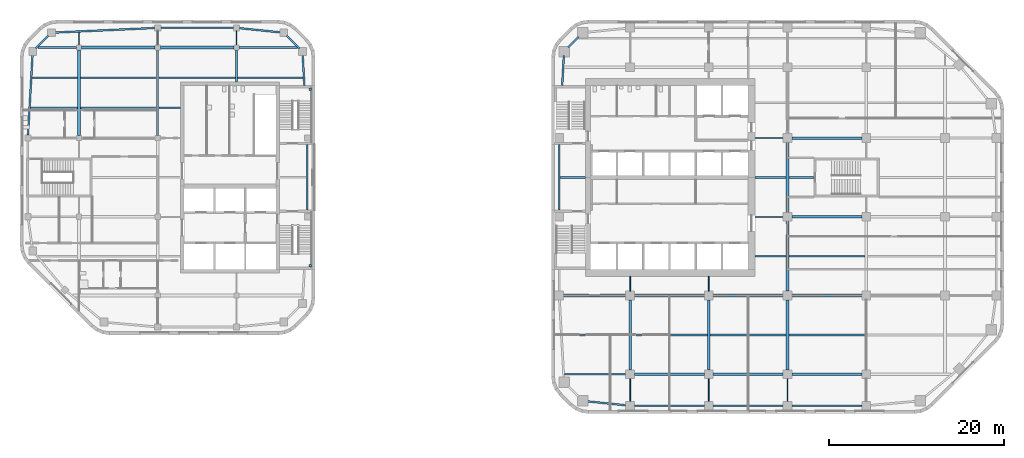
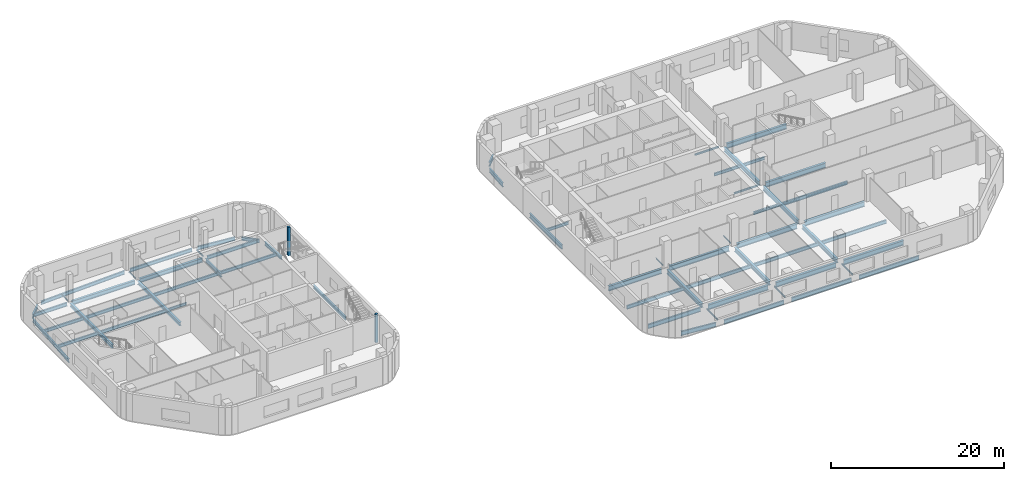
# One storey, part 2 of 14: 63 beams, 2 members.
"""IFC4 building model written with IfcOpenShell, lengths in metres."""

from ifc_helpers import new_model, si_unit, direction, frame, origin, origin_2d, place, context, subcontext, project, spatial, rectangle, i_section, extrude, material, material_profile, profile_set, type_object, element, save


model = new_model("IFC4")

# Units and contexts
model_context = context("Model", 3, precision=1e-05, world=origin(), true_north=direction((0.0, 1.0)))
body_context = subcontext(model_context, "Body", "Model", "MODEL_VIEW")
ifc_project = project(units=[si_unit("LENGTHUNIT", "METRE"), si_unit("AREAUNIT", "SQUARE_METRE"), si_unit("VOLUMEUNIT", "CUBIC_METRE"), si_unit("PLANEANGLEUNIT", "RADIAN"), si_unit("MASSUNIT", "GRAM", prefix="KILO")], contexts=[model_context])

# Site, building, storey
site_placement = place(None, origin())
site = spatial("IfcSite", under=ifc_project, at=site_placement, CompositionType="ELEMENT")
building_placement = place(site_placement, origin())
building = spatial("IfcBuilding", under=site, at=building_placement, Name="Cinnabar Reach Civic Tower", CompositionType="ELEMENT")
storey_placement = place(building_placement, frame((0.0, 0.0, 128.0)))
storey = spatial("IfcBuildingStorey", under=building, at=storey_placement, Name="L30", CompositionType="ELEMENT", Elevation=128.0)

# Beams
ifc_material_1 = material(Name="Steel Q355B", Category="steel")
ifc_material_profile_1 = material_profile(ifc_material_1, i_section(OverallWidth=0.3, OverallDepth=0.488, WebThickness=0.011, FlangeThickness=0.018, FilletRadius=0.016, at=origin_2d()), Name="HM488x300x11x18")
ifc_profile_set_1 = profile_set([ifc_material_profile_1], Name="Steel Q355B")
beam_type_1 = type_object("IfcBeamType", Name="HM488x300x11x18 beam R 120", PredefinedType="BEAM", material=ifc_profile_set_1)
for number, where, z_axis, x_axis, name in (
    (1, (-54.0, 36.302, -0.394), (0.0, 1.0, 0.0), (-1.0, 0.0, 0.0), "Girder T2 L30 4"),
    (2, (-45.0, 36.302, -0.394), (0.0, 1.0, 0.0), (-1.0, 0.0, 0.0), "Girder T2 L30 9"),
):
    element("IfcBeam", number, at=place(storey_placement, frame(where, z_axis=z_axis, x_axis=x_axis)), inside=storey, type_object=beam_type_1, Name=name, PredefinedType="BEAM", context=body_context, shape_type="SweptSolid", body=[
        extrude(i_section(OverallWidth=0.3, OverallDepth=0.488, WebThickness=0.011, FlangeThickness=0.018, FilletRadius=0.016, at=origin_2d()), origin(), (0.0, 0.0, 1.0), 9.746),
    ])
ifc_material_profile_2 = material_profile(ifc_material_1, i_section(OverallWidth=0.3, OverallDepth=0.588, WebThickness=0.012, FlangeThickness=0.02, FilletRadius=0.016, at=origin_2d()), Name="HM588x300x12x20")
ifc_profile_set_2 = profile_set([ifc_material_profile_2], Name="Steel Q355B")
beam_type_2 = type_object("IfcBeamType", Name="HM588x300x12x20 beam R 120", PredefinedType="BEAM", material=ifc_profile_set_2)
for number, where, z_axis, x_axis, name in (
    (3, (-53.698, 46.35, -0.444), (1.0, 0.0, 0.0), (0.0, 1.0, 0.0), "Girder T2 L30 11"),
    (4, (-44.698, 46.35, -0.444), (1.0, 0.0, 0.0), (0.0, 1.0, 0.0), "Girder T2 L30 12"),
):
    element("IfcBeam", number, at=place(storey_placement, frame(where, z_axis=z_axis, x_axis=x_axis)), inside=storey, type_object=beam_type_2, Name=name, PredefinedType="BEAM", context=body_context, shape_type="SweptSolid", body=[
        extrude(i_section(OverallWidth=0.3, OverallDepth=0.588, WebThickness=0.012, FlangeThickness=0.02, FilletRadius=0.016, at=origin_2d()), origin(), (0.0, 0.0, 1.0), 8.396),
    ])
ifc_material_profile_3 = material_profile(ifc_material_1, i_section(OverallWidth=0.302, OverallDepth=0.594, WebThickness=0.014, FlangeThickness=0.023, FilletRadius=0.016, at=origin_2d()), Name="HM594x302x14x23")
ifc_profile_set_3 = profile_set([ifc_material_profile_3], Name="Steel Q355B")
beam_type_3 = type_object("IfcBeamType", Name="HM594x302x14x23 beam R 180", PredefinedType="BEAM", material=ifc_profile_set_3)
for number, where, z_axis, x_axis, name in (
    (5, (9.0, 9.502, -0.447), (0.0, 1.0, 0.0), (-1.0, 0.0, 0.0), "Girder T1 L30 2"),
    (6, (18.0, 9.502, -0.447), (0.0, 1.0, 0.0), (-1.0, 0.0, 0.0), "Girder T1 L30 6"),
    (7, (27.0, 9.502, -0.447), (0.0, 1.0, 0.0), (-1.0, 0.0, 0.0), "Girder T1 L30 10"),
    (8, (27.0, 18.502, -0.447), (0.0, 1.0, 0.0), (-1.0, 0.0, 0.0), "Girder T1 L30 11"),
    (9, (27.0, 27.502, -0.447), (0.0, 1.0, 0.0), (-1.0, 0.0, 0.0), "Girder T1 L30 12"),
):
    element("IfcBeam", number, at=place(storey_placement, frame(where, z_axis=z_axis, x_axis=x_axis)), inside=storey, type_object=beam_type_3, Name=name, PredefinedType="BEAM", context=body_context, shape_type="SweptSolid", body=[
        extrude(i_section(OverallWidth=0.302, OverallDepth=0.594, WebThickness=0.014, FlangeThickness=0.023, FilletRadius=0.016, at=origin_2d()), origin(), (0.0, 0.0, 1.0), 7.996),
    ])
ifc_material_profile_4 = material_profile(ifc_material_1, i_section(OverallWidth=0.099, OverallDepth=0.198, WebThickness=0.0045, FlangeThickness=0.007, FilletRadius=0.013, at=origin_2d()), Name="HN200x100x5.5x8")
ifc_profile_set_4 = profile_set([ifc_material_profile_4], Name="Steel Q355B")
beam_type_4 = type_object("IfcBeamType", Name="HN200x100x5.5x8 beam R 120", PredefinedType="BEAM", material=ifc_profile_set_4)
beam_1_placement = place(storey_placement, frame((-54.0, 46.652, -0.249), z_axis=(0.0, 1.0, 0.0), x_axis=(-1.0, 0.0, 0.0)))
element("IfcBeam", 10, at=beam_1_placement, inside=storey, type_object=beam_type_4, Name="Girder T2 L30 5", PredefinedType="BEAM", context=body_context, shape_type="SweptSolid", body=[
    extrude(i_section(OverallWidth=0.099, OverallDepth=0.198, WebThickness=0.0045, FlangeThickness=0.007, FilletRadius=0.013, at=origin_2d()), origin(), (0.0, 0.0, 1.0), 1.4361),
])
for number, where, z_axis, x_axis, name in (
    (11, (-45.0, 46.652, -0.249), (0.0, 1.0, 0.0), (-1.0, 0.0, 0.0), "Girder T2 L30 10"),
    (12, (-36.0, 46.652, -0.249), (0.0, 1.0, 0.0), (-1.0, 0.0, 0.0), "Girder T2 L30 14"),
):
    element("IfcBeam", number, at=place(storey_placement, frame(where, z_axis=z_axis, x_axis=x_axis)), inside=storey, type_object=beam_type_4, Name=name, PredefinedType="BEAM", context=body_context, shape_type="SweptSolid", body=[
        extrude(i_section(OverallWidth=0.099, OverallDepth=0.198, WebThickness=0.0045, FlangeThickness=0.007, FilletRadius=0.013, at=origin_2d()), origin(), (0.0, 0.0, 1.0), 1.596),
    ])
ifc_material_profile_5 = material_profile(ifc_material_1, i_section(OverallWidth=0.099, OverallDepth=0.198, WebThickness=0.0045, FlangeThickness=0.007, FilletRadius=0.013, at=origin_2d()), Name="HN200x100x5.5x8")
ifc_profile_set_5 = profile_set([ifc_material_profile_5], Name="Steel Q355B")
beam_type_5 = type_object("IfcBeamType", Name="HN200x100x5.5x8 beam R 180", PredefinedType="BEAM", material=ifc_profile_set_5)
beam_2_placement = place(storey_placement, frame((9.0, 5.902, -0.249), z_axis=(0.0, 1.0, 0.0), x_axis=(-1.0, 0.0, 0.0)))
element("IfcBeam", 13, at=beam_2_placement, inside=storey, type_object=beam_type_5, Name="Girder T1 L30 1", PredefinedType="BEAM", context=body_context, shape_type="SweptSolid", body=[
    extrude(i_section(OverallWidth=0.099, OverallDepth=0.198, WebThickness=0.0045, FlangeThickness=0.007, FilletRadius=0.013, at=origin_2d()), origin(), (0.0, 0.0, 1.0), 2.596),
])
beam_3_placement = place(storey_placement, frame((9.0, 18.502, -0.249), z_axis=(0.0, 1.0, 0.0), x_axis=(-1.0, 0.0, 0.0)))
element("IfcBeam", 14, at=beam_3_placement, inside=storey, type_object=beam_type_5, Name="Girder T1 L30 3", PredefinedType="BEAM", context=body_context, shape_type="SweptSolid", body=[
    extrude(i_section(OverallWidth=0.099, OverallDepth=0.198, WebThickness=0.0045, FlangeThickness=0.007, FilletRadius=0.013, at=origin_2d()), origin(), (0.0, 0.0, 1.0), 1.696),
])
beam_4_placement = place(storey_placement, frame((18.0, 5.902, -0.249), z_axis=(0.0, 1.0, 0.0), x_axis=(-1.0, 0.0, 0.0)))
element("IfcBeam", 15, at=beam_4_placement, inside=storey, type_object=beam_type_5, Name="Girder T1 L30 5", PredefinedType="BEAM", context=body_context, shape_type="SweptSolid", body=[
    extrude(i_section(OverallWidth=0.099, OverallDepth=0.198, WebThickness=0.0045, FlangeThickness=0.007, FilletRadius=0.013, at=origin_2d()), origin(), (0.0, 0.0, 1.0), 2.596),
])
beam_5_placement = place(storey_placement, frame((18.0, 18.502, -0.249), z_axis=(0.0, 1.0, 0.0), x_axis=(-1.0, 0.0, 0.0)))
element("IfcBeam", 16, at=beam_5_placement, inside=storey, type_object=beam_type_5, Name="Girder T1 L30 7", PredefinedType="BEAM", context=body_context, shape_type="SweptSolid", body=[
    extrude(i_section(OverallWidth=0.099, OverallDepth=0.198, WebThickness=0.0045, FlangeThickness=0.007, FilletRadius=0.013, at=origin_2d()), origin(), (0.0, 0.0, 1.0), 1.696),
])
beam_6_placement = place(storey_placement, frame((27.0, 5.902, -0.249), z_axis=(0.0, 1.0, 0.0), x_axis=(-1.0, 0.0, 0.0)))
element("IfcBeam", 17, at=beam_6_placement, inside=storey, type_object=beam_type_5, Name="Girder T1 L30 9", PredefinedType="BEAM", context=body_context, shape_type="SweptSolid", body=[
    extrude(i_section(OverallWidth=0.099, OverallDepth=0.198, WebThickness=0.0045, FlangeThickness=0.007, FilletRadius=0.013, at=origin_2d()), origin(), (0.0, 0.0, 1.0), 2.596),
])
ifc_material_profile_6 = material_profile(ifc_material_1, i_section(OverallWidth=0.124, OverallDepth=0.248, WebThickness=0.005, FlangeThickness=0.008, FilletRadius=0.013, at=origin_2d()), Name="HN250x125x6x9")
ifc_profile_set_6 = profile_set([ifc_material_profile_6], Name="Steel Q355B")
beam_type_6 = type_object("IfcBeamType", Name="HN250x125x6x9 beam R 180", PredefinedType="BEAM", material=ifc_profile_set_6)
for number, where, z_axis, x_axis, name in (
    (18, (23.302, 27.0, -0.274), (1.0, 0.0, 0.0), (0.0, 1.0, 0.0), "Girder T1 L30 12"),
    (19, (23.302, 36.0, -0.274), (1.0, 0.0, 0.0), (0.0, 1.0, 0.0), "Girder T1 L30 16"),
):
    element("IfcBeam", number, at=place(storey_placement, frame(where, z_axis=z_axis, x_axis=x_axis)), inside=storey, type_object=beam_type_6, Name=name, PredefinedType="BEAM", context=body_context, shape_type="SweptSolid", body=[
        extrude(i_section(OverallWidth=0.124, OverallDepth=0.248, WebThickness=0.005, FlangeThickness=0.008, FilletRadius=0.013, at=origin_2d()), origin(), (0.0, 0.0, 1.0), 3.196),
    ])
ifc_material_profile_7 = material_profile(ifc_material_1, i_section(OverallWidth=0.175, OverallDepth=0.35, WebThickness=0.007, FlangeThickness=0.011, FilletRadius=0.013, at=origin_2d()), Name="HN350x175x7x11")
ifc_profile_set_7 = profile_set([ifc_material_profile_7], Name="Steel Q355B")
beam_type_7 = type_object("IfcBeamType", Name="HN350x175x7x11 beam R 120", PredefinedType="BEAM", material=ifc_profile_set_7)
beam_7_placement = place(storey_placement, frame((-44.848, 39.45, -0.325), z_axis=(1.0, 0.0, 0.0), x_axis=(0.0, 1.0, 0.0)))
element("IfcBeam", 20, at=beam_7_placement, inside=storey, type_object=beam_type_7, Name="Secondary beam T2 L30 9", PredefinedType="BEAM", context=body_context, shape_type="SweptSolid", body=[
    extrude(i_section(OverallWidth=0.175, OverallDepth=0.35, WebThickness=0.007, FlangeThickness=0.011, FilletRadius=0.013, at=origin_2d()), origin(), (0.0, 0.0, 1.0), 2.446),
])
ifc_material_profile_8 = material_profile(ifc_material_1, i_section(OverallWidth=0.199, OverallDepth=0.396, WebThickness=0.007, FlangeThickness=0.011, FilletRadius=0.013, at=origin_2d()), Name="HN396x199x7x11")
ifc_profile_set_8 = profile_set([ifc_material_profile_8], Name="Steel Q355B")
beam_type_8 = type_object("IfcBeamType", Name="HN396x199x7x11 beam R 180", PredefinedType="BEAM", material=ifc_profile_set_8)
beam_8_placement = place(storey_placement, frame((23.302, 22.5, -0.348), z_axis=(1.0, 0.0, 0.0), x_axis=(0.0, 1.0, 0.0)))
element("IfcBeam", 21, at=beam_8_placement, inside=storey, type_object=beam_type_8, Name="Secondary beam T1 L30 7", PredefinedType="BEAM", context=body_context, shape_type="SweptSolid", body=[
    extrude(i_section(OverallWidth=0.199, OverallDepth=0.396, WebThickness=0.007, FlangeThickness=0.011, FilletRadius=0.013, at=origin_2d()), origin(), (0.0, 0.0, 1.0), 3.545),
])
beam_9_placement = place(storey_placement, frame((1.002, 31.5, -0.348), z_axis=(1.0, 0.0, 0.0), x_axis=(0.0, 1.0, 0.0)))
element("IfcBeam", 22, at=beam_9_placement, inside=storey, type_object=beam_type_8, Name="Secondary beam T1 L30 11", PredefinedType="BEAM", context=body_context, shape_type="SweptSolid", body=[
    extrude(i_section(OverallWidth=0.199, OverallDepth=0.396, WebThickness=0.007, FlangeThickness=0.011, FilletRadius=0.013, at=origin_2d()), origin(), (0.0, 0.0, 1.0), 2.896),
])
beam_10_placement = place(storey_placement, frame((23.302, 31.5, -0.348), z_axis=(1.0, 0.0, 0.0), x_axis=(0.0, 1.0, 0.0)))
element("IfcBeam", 23, at=beam_10_placement, inside=storey, type_object=beam_type_8, Name="Secondary beam T1 L30 12", PredefinedType="BEAM", context=body_context, shape_type="SweptSolid", body=[
    extrude(i_section(OverallWidth=0.199, OverallDepth=0.396, WebThickness=0.007, FlangeThickness=0.011, FilletRadius=0.013, at=origin_2d()), origin(), (0.0, 0.0, 1.0), 3.545),
])
beam_11_placement = place(storey_placement, frame((27.153, 31.5, -0.348), z_axis=(1.0, 0.0, 0.0), x_axis=(0.0, 1.0, 0.0)))
element("IfcBeam", 24, at=beam_11_placement, inside=storey, type_object=beam_type_8, Name="Secondary beam T1 L30 13", PredefinedType="BEAM", context=body_context, shape_type="SweptSolid", body=[
    extrude(i_section(OverallWidth=0.199, OverallDepth=0.396, WebThickness=0.007, FlangeThickness=0.011, FilletRadius=0.013, at=origin_2d()), origin(), (0.0, 0.0, 1.0), 2.845),
])
ifc_material_profile_9 = material_profile(ifc_material_1, i_section(OverallWidth=0.2, OverallDepth=0.45, WebThickness=0.009, FlangeThickness=0.014, FilletRadius=0.016, at=origin_2d()), Name="HN450x200x9x14")
ifc_profile_set_9 = profile_set([ifc_material_profile_9], Name="Steel Q355B")
beam_type_9 = type_object("IfcBeamType", Name="HN450x200x9x14 beam R 120", PredefinedType="BEAM", material=ifc_profile_set_9)
beam_12_placement = place(storey_placement, frame((-59.5551, 39.45, -0.375), z_axis=(1.0, 0.0, 0.0), x_axis=(0.0, 1.0, 0.0)))
element("IfcBeam", 25, at=beam_12_placement, inside=storey, type_object=beam_type_9, Name="Secondary beam T2 L30 7", PredefinedType="BEAM", context=body_context, shape_type="SweptSolid", body=[
    extrude(i_section(OverallWidth=0.2, OverallDepth=0.45, WebThickness=0.009, FlangeThickness=0.014, FilletRadius=0.016, at=origin_2d()), origin(), (0.0, 0.0, 1.0), 5.4031),
])
beam_13_placement = place(storey_placement, frame((-53.848, 39.45, -0.375), z_axis=(1.0, 0.0, 0.0), x_axis=(0.0, 1.0, 0.0)))
element("IfcBeam", 26, at=beam_13_placement, inside=storey, type_object=beam_type_9, Name="Secondary beam T2 L30 8", PredefinedType="BEAM", context=body_context, shape_type="SweptSolid", body=[
    extrude(i_section(OverallWidth=0.2, OverallDepth=0.45, WebThickness=0.009, FlangeThickness=0.014, FilletRadius=0.016, at=origin_2d()), origin(), (0.0, 0.0, 1.0), 8.696),
])
beam_14_placement = place(storey_placement, frame((-59.3623, 42.9, -0.375), z_axis=(1.0, 0.0, 0.0), x_axis=(0.0, 1.0, 0.0)))
element("IfcBeam", 27, at=beam_14_placement, inside=storey, type_object=beam_type_9, Name="Secondary beam T2 L30 10", PredefinedType="BEAM", context=body_context, shape_type="SweptSolid", body=[
    extrude(i_section(OverallWidth=0.2, OverallDepth=0.45, WebThickness=0.009, FlangeThickness=0.014, FilletRadius=0.016, at=origin_2d()), origin(), (0.0, 0.0, 1.0), 5.2103),
])
beam_15_placement = place(storey_placement, frame((-53.848, 42.9, -0.375), z_axis=(1.0, 0.0, 0.0), x_axis=(0.0, 1.0, 0.0)))
element("IfcBeam", 28, at=beam_15_placement, inside=storey, type_object=beam_type_9, Name="Secondary beam T2 L30 11", PredefinedType="BEAM", context=body_context, shape_type="SweptSolid", body=[
    extrude(i_section(OverallWidth=0.2, OverallDepth=0.45, WebThickness=0.009, FlangeThickness=0.014, FilletRadius=0.016, at=origin_2d()), origin(), (0.0, 0.0, 1.0), 8.696),
])
beam_16_placement = place(storey_placement, frame((-44.848, 42.9, -0.375), z_axis=(1.0, 0.0, 0.0), x_axis=(0.0, 1.0, 0.0)))
element("IfcBeam", 29, at=beam_16_placement, inside=storey, type_object=beam_type_9, Name="Secondary beam T2 L30 12", PredefinedType="BEAM", context=body_context, shape_type="SweptSolid", body=[
    extrude(i_section(OverallWidth=0.2, OverallDepth=0.45, WebThickness=0.009, FlangeThickness=0.014, FilletRadius=0.016, at=origin_2d()), origin(), (0.0, 0.0, 1.0), 8.746),
])
beam_17_placement = place(storey_placement, frame((-35.898, 42.9, -0.375), z_axis=(1.0, 0.0, 0.0), x_axis=(0.0, 1.0, 0.0)))
element("IfcBeam", 30, at=beam_17_placement, inside=storey, type_object=beam_type_9, Name="Secondary beam T2 L30 13", PredefinedType="BEAM", context=body_context, shape_type="SweptSolid", body=[
    extrude(i_section(OverallWidth=0.2, OverallDepth=0.45, WebThickness=0.009, FlangeThickness=0.014, FilletRadius=0.016, at=origin_2d()), origin(), (0.0, 0.0, 1.0), 7.5103),
])
ifc_material_profile_10 = material_profile(ifc_material_1, i_section(OverallWidth=0.199, OverallDepth=0.496, WebThickness=0.009, FlangeThickness=0.014, FilletRadius=0.016, at=origin_2d()), Name="HN496x199x9x14")
ifc_profile_set_10 = profile_set([ifc_material_profile_10], Name="Steel Q355B")
beam_type_10 = type_object("IfcBeamType", Name="HN496x199x9x14 beam R 180", PredefinedType="BEAM", material=ifc_profile_set_10)
beam_18_placement = place(storey_placement, frame((1.2536, 13.5, -0.398), z_axis=(1.0, 0.0, 0.0), x_axis=(0.0, 1.0, 0.0)))
element("IfcBeam", 31, at=beam_18_placement, inside=storey, type_object=beam_type_10, Name="Secondary beam T1 L30 1", PredefinedType="BEAM", context=body_context, shape_type="SweptSolid", body=[
    extrude(i_section(OverallWidth=0.199, OverallDepth=0.496, WebThickness=0.009, FlangeThickness=0.014, FilletRadius=0.016, at=origin_2d()), origin(), (0.0, 0.0, 1.0), 7.5934),
])
for number, where, z_axis, x_axis, name in (
    (32, (9.153, 13.5, -0.398), (1.0, 0.0, 0.0), (0.0, 1.0, 0.0), "Secondary beam T1 L30 2"),
    (33, (18.153, 13.5, -0.398), (1.0, 0.0, 0.0), (0.0, 1.0, 0.0), "Secondary beam T1 L30 3"),
    (34, (27.153, 13.5, -0.398), (1.0, 0.0, 0.0), (0.0, 1.0, 0.0), "Secondary beam T1 L30 4"),
    (35, (27.153, 22.5, -0.398), (1.0, 0.0, 0.0), (0.0, 1.0, 0.0), "Secondary beam T1 L30 8"),
):
    element("IfcBeam", number, at=place(storey_placement, frame(where, z_axis=z_axis, x_axis=x_axis)), inside=storey, type_object=beam_type_10, Name=name, PredefinedType="BEAM", context=body_context, shape_type="SweptSolid", body=[
        extrude(i_section(OverallWidth=0.199, OverallDepth=0.496, WebThickness=0.009, FlangeThickness=0.014, FilletRadius=0.016, at=origin_2d()), origin(), (0.0, 0.0, 1.0), 8.694),
    ])
ifc_material_profile_11 = material_profile(ifc_material_1, i_section(OverallWidth=0.2, OverallDepth=0.5, WebThickness=0.01, FlangeThickness=0.016, FilletRadius=0.016, at=origin_2d()), Name="HN500x200x10x16")
ifc_profile_set_11 = profile_set([ifc_material_profile_11], Name="Steel Q355B")
beam_type_11 = type_object("IfcBeamType", Name="HN500x200x10x16 beam R 120", PredefinedType="BEAM", material=ifc_profile_set_11)
beam_19_placement = place(storey_placement, frame((-27.9, 27.752, -0.4), z_axis=(0.0, 1.0, 0.0), x_axis=(-1.0, 0.0, 0.0)))
element("IfcBeam", 36, at=beam_19_placement, inside=storey, type_object=beam_type_11, Name="Edge beam T2 L30 6", PredefinedType="BEAM", context=body_context, shape_type="SweptSolid", body=[
    extrude(i_section(OverallWidth=0.2, OverallDepth=0.5, WebThickness=0.01, FlangeThickness=0.016, FilletRadius=0.016, at=origin_2d()), origin(), (0.0, 0.0, 1.0), 7.496),
])
beam_20_placement = place(storey_placement, frame((-28.2354, 42.002, -0.4), z_axis=(-0.055775670196, 0.99844332569, 0.0), x_axis=(-0.99844332569, -0.055775670196, 0.0)))
element("IfcBeam", 37, at=beam_20_placement, inside=storey, type_object=beam_type_11, Name="Edge beam T2 L30 7", PredefinedType="BEAM", context=body_context, shape_type="SweptSolid", body=[
    extrude(i_section(OverallWidth=0.2, OverallDepth=0.5, WebThickness=0.01, FlangeThickness=0.016, FilletRadius=0.016, at=origin_2d()), origin(), (0.0, 0.0, 1.0), 3.5697),
])
beam_21_placement = place(storey_placement, frame((-28.7851, 46.2301, -0.4), z_axis=(-0.707106781187, 0.707106781187, 0.0), x_axis=(-0.707106781187, -0.707106781187, 0.0)))
element("IfcBeam", 38, at=beam_21_placement, inside=storey, type_object=beam_type_11, Name="Edge beam T2 L30 8", PredefinedType="BEAM", context=body_context, shape_type="SweptSolid", body=[
    extrude(i_section(OverallWidth=0.2, OverallDepth=0.5, WebThickness=0.01, FlangeThickness=0.016, FilletRadius=0.016, at=origin_2d()), origin(), (0.0, 0.0, 1.0), 2.0998),
])
beam_22_placement = place(storey_placement, frame((-30.9339, 48.0809, -0.4), z_axis=(-0.994792087401, 0.101924986363, 0.0), x_axis=(-0.101924986363, -0.994792087401, 0.0)))
element("IfcBeam", 39, at=beam_22_placement, inside=storey, type_object=beam_type_11, Name="Edge beam T2 L30 9", PredefinedType="BEAM", context=body_context, shape_type="SweptSolid", body=[
    extrude(i_section(OverallWidth=0.2, OverallDepth=0.5, WebThickness=0.01, FlangeThickness=0.016, FilletRadius=0.016, at=origin_2d()), origin(), (0.0, 0.0, 1.0), 4.7388),
])
beam_23_placement = place(storey_placement, frame((-36.352, 48.6, -0.4), z_axis=(-1.0, 0.0, 0.0), x_axis=(0.0, -1.0, 0.0)))
element("IfcBeam", 40, at=beam_23_placement, inside=storey, type_object=beam_type_11, Name="Edge beam T2 L30 10", PredefinedType="BEAM", context=body_context, shape_type="SweptSolid", body=[
    extrude(i_section(OverallWidth=0.2, OverallDepth=0.5, WebThickness=0.01, FlangeThickness=0.016, FilletRadius=0.016, at=origin_2d()), origin(), (0.0, 0.0, 1.0), 8.296),
])
beam_24_placement = place(storey_placement, frame((-45.352, 48.584, -0.4), z_axis=(-0.998964961738, -0.045486319033, 0.0), x_axis=(0.045486319033, -0.998964961738, 0.0)))
element("IfcBeam", 41, at=beam_24_placement, inside=storey, type_object=beam_type_11, Name="Edge beam T2 L30 11", PredefinedType="BEAM", context=body_context, shape_type="SweptSolid", body=[
    extrude(i_section(OverallWidth=0.2, OverallDepth=0.5, WebThickness=0.01, FlangeThickness=0.016, FilletRadius=0.016, at=origin_2d()), origin(), (0.0, 0.0, 1.0), 11.476),
])
beam_25_placement = place(storey_placement, frame((-57.4801, 47.7149, -0.4), z_axis=(-0.707106781187, -0.707106781187, 0.0), x_axis=(0.707106781187, -0.707106781187, 0.0)))
element("IfcBeam", 42, at=beam_25_placement, inside=storey, type_object=beam_type_11, Name="Edge beam T2 L30 12", PredefinedType="BEAM", context=body_context, shape_type="SweptSolid", body=[
    extrude(i_section(OverallWidth=0.2, OverallDepth=0.5, WebThickness=0.01, FlangeThickness=0.016, FilletRadius=0.016, at=origin_2d()), origin(), (0.0, 0.0, 1.0), 2.0998),
])
beam_26_placement = place(storey_placement, frame((-59.3155, 45.5661, -0.4), z_axis=(-0.055783895065, -0.998442866193, 0.0), x_axis=(0.998442866193, -0.055783895065, 0.0)))
element("IfcBeam", 43, at=beam_26_placement, inside=storey, type_object=beam_type_11, Name="Edge beam T2 L30 13", PredefinedType="BEAM", context=body_context, shape_type="SweptSolid", body=[
    extrude(i_section(OverallWidth=0.2, OverallDepth=0.5, WebThickness=0.01, FlangeThickness=0.016, FilletRadius=0.016, at=origin_2d()), origin(), (0.0, 0.0, 1.0), 9.2285),
])
beam_27_placement = place(storey_placement, frame((-58.7008, 46.35, -0.4), z_axis=(1.0, 0.0, 0.0), x_axis=(0.0, 1.0, 0.0)))
element("IfcBeam", 44, at=beam_27_placement, inside=storey, type_object=beam_type_11, Name="Girder T2 L30 10", PredefinedType="BEAM", context=body_context, shape_type="SweptSolid", body=[
    extrude(i_section(OverallWidth=0.2, OverallDepth=0.5, WebThickness=0.01, FlangeThickness=0.016, FilletRadius=0.016, at=origin_2d()), origin(), (0.0, 0.0, 1.0), 4.3988),
])
beam_28_placement = place(storey_placement, frame((-35.698, 46.35, -0.4), z_axis=(1.0, 0.0, 0.0), x_axis=(0.0, 1.0, 0.0)))
element("IfcBeam", 45, at=beam_28_placement, inside=storey, type_object=beam_type_11, Name="Girder T2 L30 13", PredefinedType="BEAM", context=body_context, shape_type="SweptSolid", body=[
    extrude(i_section(OverallWidth=0.2, OverallDepth=0.5, WebThickness=0.01, FlangeThickness=0.016, FilletRadius=0.016, at=origin_2d()), origin(), (0.0, 0.0, 1.0), 6.6488),
])
beam_29_placement = place(storey_placement, frame((-36.0, 42.402, -0.4), z_axis=(0.0, 1.0, 0.0), x_axis=(-1.0, 0.0, 0.0)))
element("IfcBeam", 46, at=beam_29_placement, inside=storey, type_object=beam_type_11, Name="Girder T2 L30 13", PredefinedType="BEAM", context=body_context, shape_type="SweptSolid", body=[
    extrude(i_section(OverallWidth=0.2, OverallDepth=0.5, WebThickness=0.01, FlangeThickness=0.016, FilletRadius=0.016, at=origin_2d()), origin(), (0.0, 0.0, 1.0), 3.646),
])
ifc_material_profile_12 = material_profile(ifc_material_1, i_section(OverallWidth=0.199, OverallDepth=0.596, WebThickness=0.01, FlangeThickness=0.015, FilletRadius=0.016, at=origin_2d()), Name="HN596x199x10x15")
ifc_profile_set_12 = profile_set([ifc_material_profile_12], Name="Steel Q355B")
beam_type_12 = type_object("IfcBeamType", Name="HN596x199x10x15 beam R 180", PredefinedType="BEAM", material=ifc_profile_set_12)
beam_30_placement = place(storey_placement, frame((1.5051, 9.0, -0.448), z_axis=(1.0, 0.0, 0.0), x_axis=(0.0, 1.0, 0.0)))
element("IfcBeam", 47, at=beam_30_placement, inside=storey, type_object=beam_type_12, Name="Girder T1 L30 1", PredefinedType="BEAM", context=body_context, shape_type="SweptSolid", body=[
    extrude(i_section(OverallWidth=0.199, OverallDepth=0.596, WebThickness=0.01, FlangeThickness=0.015, FilletRadius=0.016, at=origin_2d()), origin(), (0.0, 0.0, 1.0), 6.9929),
])
ifc_material_profile_13 = material_profile(ifc_material_1, i_section(OverallWidth=0.2, OverallDepth=0.6, WebThickness=0.011, FlangeThickness=0.017, FilletRadius=0.016, at=origin_2d()), Name="HN600x200x11x17")
ifc_profile_set_13 = profile_set([ifc_material_profile_13], Name="Steel Q355B")
beam_type_13 = type_object("IfcBeamType", Name="HN600x200x11x17 beam R 180", PredefinedType="BEAM", material=ifc_profile_set_13)
beam_31_placement = place(storey_placement, frame((4.0839, 5.9037, -0.45), z_axis=(0.994791228755, -0.101933366432, 0.0), x_axis=(0.101933366432, 0.994791228755, 0.0)))
element("IfcBeam", 48, at=beam_31_placement, inside=storey, type_object=beam_type_13, Name="Edge beam T1 L30 1", PredefinedType="BEAM", context=body_context, shape_type="SweptSolid", body=[
    extrude(i_section(OverallWidth=0.2, OverallDepth=0.6, WebThickness=0.011, FlangeThickness=0.017, FilletRadius=0.016, at=origin_2d()), origin(), (0.0, 0.0, 1.0), 4.4372),
])
for number, where, z_axis, x_axis, name in (
    (49, (9.502, 5.4, -0.45), (1.0, 0.0, 0.0), (0.0, 1.0, 0.0), "Edge beam T1 L30 2"),
    (50, (18.502, 5.4, -0.45), (1.0, 0.0, 0.0), (0.0, 1.0, 0.0), "Edge beam T1 L30 3"),
    (51, (27.502, 5.4, -0.45), (1.0, 0.0, 0.0), (0.0, 1.0, 0.0), "Edge beam T1 L30 4"),
):
    element("IfcBeam", number, at=place(storey_placement, frame(where, z_axis=z_axis, x_axis=x_axis)), inside=storey, type_object=beam_type_13, Name=name, PredefinedType="BEAM", context=body_context, shape_type="SweptSolid", body=[
        extrude(i_section(OverallWidth=0.2, OverallDepth=0.6, WebThickness=0.011, FlangeThickness=0.017, FilletRadius=0.016, at=origin_2d()), origin(), (0.0, 0.0, 1.0), 7.996),
    ])
beam_32_placement = place(storey_placement, frame((3.1199, 47.5649, -0.45), z_axis=(-0.707106781187, -0.707106781187, 0.0), x_axis=(0.707106781187, -0.707106781187, 0.0)))
element("IfcBeam", 52, at=beam_32_placement, inside=storey, type_object=beam_type_13, Name="Edge beam T1 L30 19", PredefinedType="BEAM", context=body_context, shape_type="SweptSolid", body=[
    extrude(i_section(OverallWidth=0.2, OverallDepth=0.6, WebThickness=0.011, FlangeThickness=0.017, FilletRadius=0.016, at=origin_2d()), origin(), (0.0, 0.0, 1.0), 1.6756),
])
beam_33_placement = place(storey_placement, frame((1.4262, 45.4161, -0.45), z_axis=(-0.055798816608, -0.998442032401, 0.0), x_axis=(0.998442032401, -0.055798816608, 0.0)))
element("IfcBeam", 53, at=beam_33_placement, inside=storey, type_object=beam_type_13, Name="Edge beam T1 L30 20", PredefinedType="BEAM", context=body_context, shape_type="SweptSolid", body=[
    extrude(i_section(OverallWidth=0.2, OverallDepth=0.6, WebThickness=0.011, FlangeThickness=0.017, FilletRadius=0.016, at=origin_2d()), origin(), (0.0, 0.0, 1.0), 3.4194),
])
beam_34_placement = place(storey_placement, frame((0.9, 35.248, -0.45), z_axis=(0.0, -1.0, 0.0), x_axis=(1.0, 0.0, 0.0)))
element("IfcBeam", 54, at=beam_34_placement, inside=storey, type_object=beam_type_13, Name="Edge beam T1 L30 21", PredefinedType="BEAM", context=body_context, shape_type="SweptSolid", body=[
    extrude(i_section(OverallWidth=0.2, OverallDepth=0.6, WebThickness=0.011, FlangeThickness=0.017, FilletRadius=0.016, at=origin_2d()), origin(), (0.0, 0.0, 1.0), 7.496),
])
ifc_material_profile_14 = material_profile(ifc_material_1, i_section(OverallWidth=0.3, OverallDepth=0.692, WebThickness=0.013, FlangeThickness=0.02, FilletRadius=0.016, at=origin_2d()), Name="HN692x300x13x20")
ifc_profile_set_14 = profile_set([ifc_material_profile_14], Name="Steel Q355B")
beam_type_14 = type_object("IfcBeamType", Name="HN692x300x13x20 beam R 180", PredefinedType="BEAM", material=ifc_profile_set_14)
for number, where, z_axis, x_axis, name in (
    (55, (9.502, 9.0, -0.496), (1.0, 0.0, 0.0), (0.0, 1.0, 0.0), "Girder T1 L30 2"),
    (56, (18.502, 9.0, -0.496), (1.0, 0.0, 0.0), (0.0, 1.0, 0.0), "Girder T1 L30 3"),
    (57, (27.502, 9.0, -0.496), (1.0, 0.0, 0.0), (0.0, 1.0, 0.0), "Girder T1 L30 4"),
):
    element("IfcBeam", number, at=place(storey_placement, frame(where, z_axis=z_axis, x_axis=x_axis)), inside=storey, type_object=beam_type_14, Name=name, PredefinedType="BEAM", context=body_context, shape_type="SweptSolid", body=[
        extrude(i_section(OverallWidth=0.3, OverallDepth=0.692, WebThickness=0.013, FlangeThickness=0.02, FilletRadius=0.016, at=origin_2d()), origin(), (0.0, 0.0, 1.0), 7.996),
    ])
beam_35_placement = place(storey_placement, frame((1.402, 18.0, -0.496), z_axis=(1.0, 0.0, 0.0), x_axis=(0.0, 1.0, 0.0)))
element("IfcBeam", 58, at=beam_35_placement, inside=storey, type_object=beam_type_14, Name="Girder T1 L30 6", PredefinedType="BEAM", context=body_context, shape_type="SweptSolid", body=[
    extrude(i_section(OverallWidth=0.3, OverallDepth=0.692, WebThickness=0.013, FlangeThickness=0.02, FilletRadius=0.016, at=origin_2d()), origin(), (0.0, 0.0, 1.0), 7.096),
])
for number, where, z_axis, x_axis, name in (
    (59, (9.502, 18.0, -0.496), (1.0, 0.0, 0.0), (0.0, 1.0, 0.0), "Girder T1 L30 7"),
    (60, (18.502, 18.0, -0.496), (1.0, 0.0, 0.0), (0.0, 1.0, 0.0), "Girder T1 L30 8"),
    (61, (27.502, 18.0, -0.496), (1.0, 0.0, 0.0), (0.0, 1.0, 0.0), "Girder T1 L30 9"),
    (62, (27.502, 27.0, -0.496), (1.0, 0.0, 0.0), (0.0, 1.0, 0.0), "Girder T1 L30 13"),
    (63, (27.502, 36.0, -0.496), (1.0, 0.0, 0.0), (0.0, 1.0, 0.0), "Girder T1 L30 17"),
):
    element("IfcBeam", number, at=place(storey_placement, frame(where, z_axis=z_axis, x_axis=x_axis)), inside=storey, type_object=beam_type_14, Name=name, PredefinedType="BEAM", context=body_context, shape_type="SweptSolid", body=[
        extrude(i_section(OverallWidth=0.3, OverallDepth=0.692, WebThickness=0.013, FlangeThickness=0.02, FilletRadius=0.016, at=origin_2d()), origin(), (0.0, 0.0, 1.0), 7.996),
    ])

# Members
ifc_material_2 = material(Name="Concrete C40", Category="concrete")
ifc_material_profile_15 = material_profile(ifc_material_2, rectangle(XDim=0.3, YDim=0.3, at=origin_2d()), Name="C300")
ifc_profile_set_15 = profile_set([ifc_material_profile_15], Name="Concrete C40")
member_type = type_object("IfcMemberType", Name="T2 stair post 300", PredefinedType="STRUT", material=ifc_profile_set_15)
for number, where, z_axis, x_axis, name in (
    (64, (-27.55, 21.4, 0.0), (0.0, 0.0, 1.0), (1.0, 0.0, 0.0), "Stair post 1"),
    (65, (-27.55, 41.6, 0.0), (0.0, 0.0, 1.0), (1.0, 0.0, 0.0), "Stair post 2"),
):
    element("IfcMember", number, at=place(storey_placement, frame(where, z_axis=z_axis, x_axis=x_axis)), inside=storey, type_object=member_type, Name=name, PredefinedType="STRUT", context=body_context, shape_type="SweptSolid", body=[
        extrude(rectangle(XDim=0.3, YDim=0.3, at=origin_2d()), origin(), (0.0, 0.0, 1.0), 4.0),
    ])

save(model, "model.ifc")
